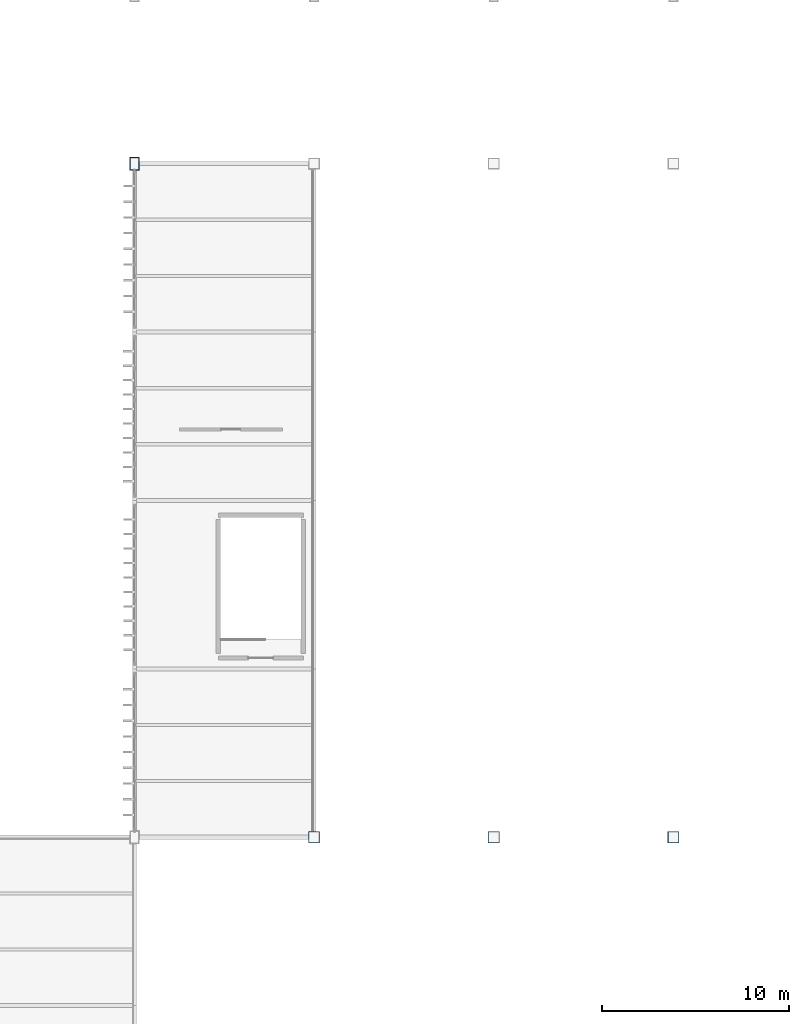
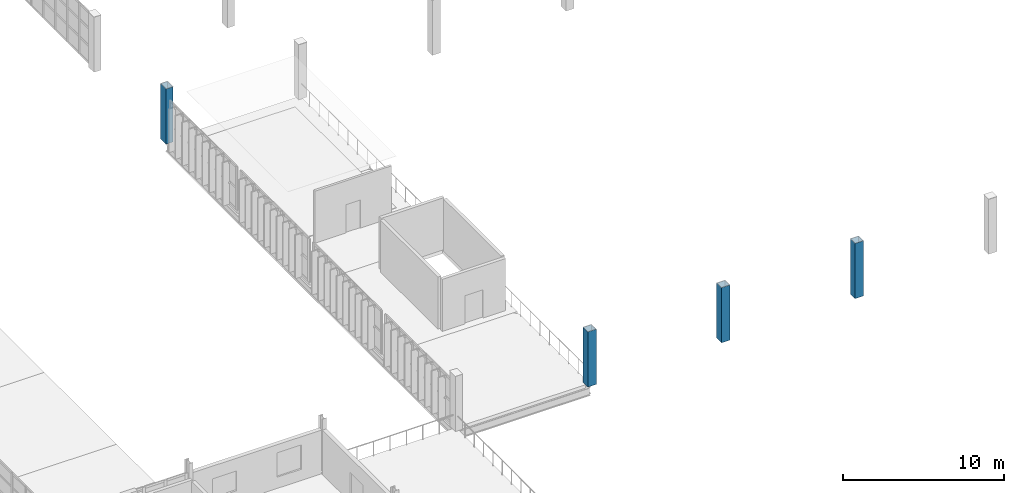
# One storey, part 4 of 82: 4 columns.
"""IFC4 building model written with IfcOpenShell, lengths in metres."""

from ifc_helpers import new_model, si_unit, direction, frame, origin, origin_2d, place, context, subcontext, project, spatial, hollow_rectangle, extrude, material, material_profile, profile_set, type_object, element, save


model = new_model("IFC4")

# Units and contexts
model_context = context("Model", 3, precision=1e-05, world=origin(), true_north=direction((0.0, 1.0)))
body_context = subcontext(model_context, "Body", "Model", "MODEL_VIEW")
ifc_project = project(units=[si_unit("LENGTHUNIT", "METRE"), si_unit("AREAUNIT", "SQUARE_METRE"), si_unit("VOLUMEUNIT", "CUBIC_METRE"), si_unit("PLANEANGLEUNIT", "RADIAN"), si_unit("MASSUNIT", "GRAM", prefix="KILO")], contexts=[model_context])

# Site, building, storey
site_placement = place(None, origin())
site = spatial("IfcSite", under=ifc_project, at=site_placement, CompositionType="ELEMENT")
building_placement = place(site_placement, origin())
building = spatial("IfcBuilding", under=site, at=building_placement, Name="Zarnetskaya Central Station", CompositionType="ELEMENT")
storey_placement = place(building_placement, frame((0.0, 0.0, 10.199951171875)))
storey = spatial("IfcBuildingStorey", under=building, at=storey_placement, Name="L02", CompositionType="ELEMENT", Elevation=10.199951171875)

# Columns
ifc_material = material(Name="Steel S355", Category="steel")
ifc_material_profile_1 = material_profile(ifc_material, hollow_rectangle(XDim=0.5, YDim=0.699951171875, WallThickness=0.031982421875, at=origin_2d()), Name="BOX 700x500x32")
ifc_profile_set_1 = profile_set([ifc_material_profile_1], Name="Steel S355")
column_type_1 = type_object("IfcColumnType", Name="COL-V2-HALL", PredefinedType="COLUMN", material=ifc_profile_set_1)
column_placement = place(storey_placement, frame((57.60009765625, 58.199951171875, 0.0), z_axis=(0.0, 0.0, 1.0), x_axis=(1.0, 0.0, 0.0)))
element("IfcColumn", 1, at=column_placement, inside=storey, type_object=column_type_1, Name="Column G8 L02", PredefinedType="COLUMN", context=body_context, shape_type="SweptSolid", body=[
    extrude(hollow_rectangle(XDim=0.5, YDim=0.699951171875, WallThickness=0.031982421875, at=origin_2d()), origin(), (0.0, 0.0, 1.0), 4.18798828125),
])
ifc_material_profile_2 = material_profile(ifc_material, hollow_rectangle(XDim=0.60009765625, YDim=0.60009765625, WallThickness=0.030029296875, at=origin_2d()), Name="BOX 600x600x30")
ifc_profile_set_2 = profile_set([ifc_material_profile_2], Name="Steel S355")
column_type_2 = type_object("IfcColumnType", Name="COL-V2-INT", PredefinedType="COLUMN", material=ifc_profile_set_2)
for number, where, z_axis, x_axis, name in (
    (2, (67.199951171875, 22.199951171875, 0.0), (0.0, 0.0, 1.0), (1.0, 0.0, 0.0), "Column H4 L02"),
    (3, (76.800048828125, 22.199951171875, 0.0), (0.0, 0.0, 1.0), (1.0, 0.0, 0.0), "Column J4 L02"),
    (4, (86.39990234375, 22.199951171875, 0.0), (0.0, 0.0, 1.0), (1.0, 0.0, 0.0), "Column K4 L02"),
):
    element("IfcColumn", number, at=place(storey_placement, frame(where, z_axis=z_axis, x_axis=x_axis)), inside=storey, type_object=column_type_2, Name=name, PredefinedType="COLUMN", context=body_context, shape_type="SweptSolid", body=[
        extrude(hollow_rectangle(XDim=0.60009765625, YDim=0.60009765625, WallThickness=0.030029296875, at=origin_2d()), origin(), (0.0, 0.0, 1.0), 4.18798828125),
    ])

save(model, "model.ifc")
